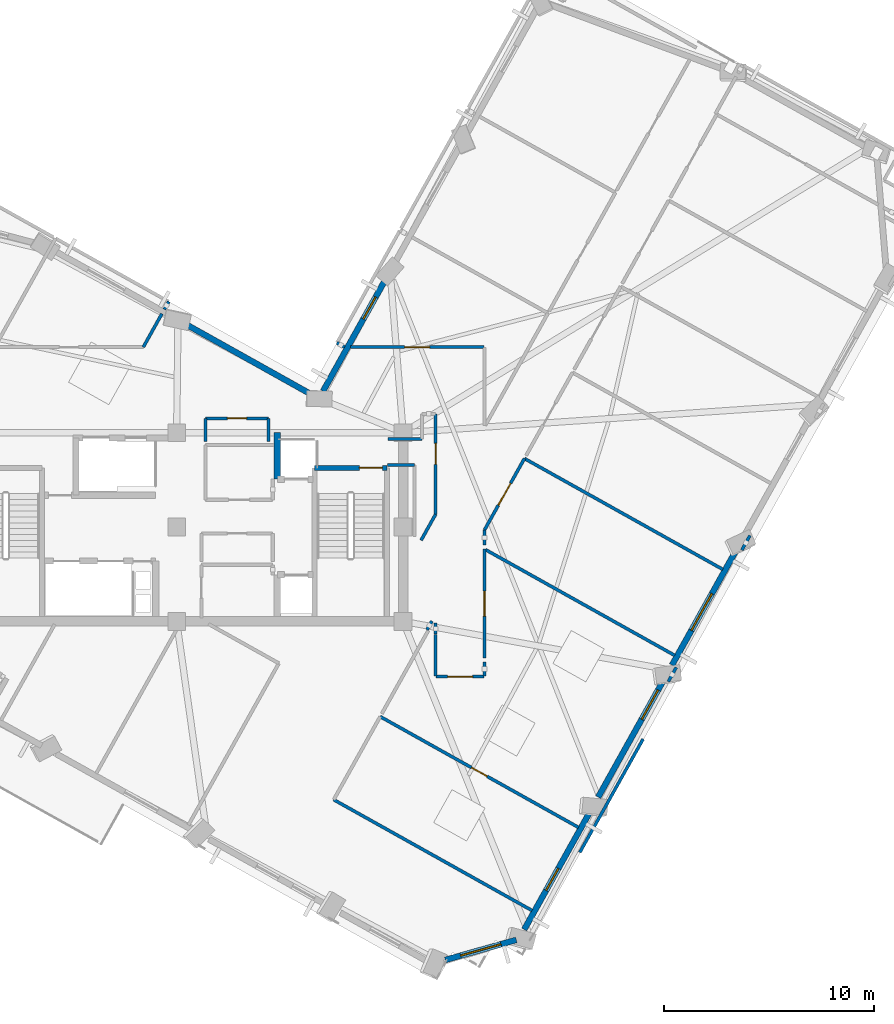
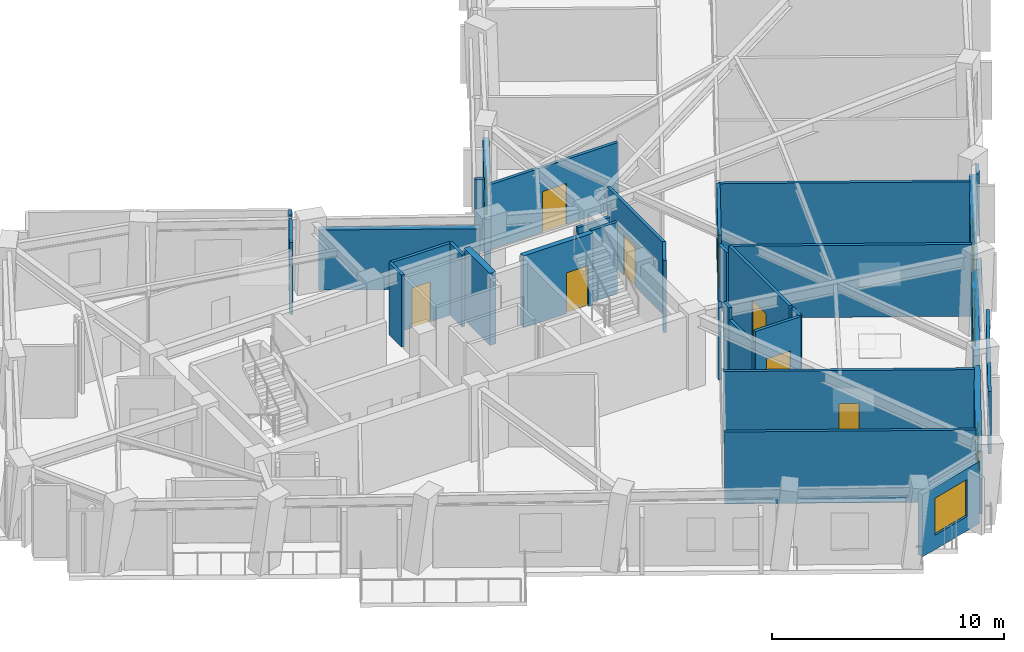
# One storey, part 5 of 11: 34 walls, 8 doors, 5 windows, 13 openings.
"""IFC4 building model written with IfcOpenShell, lengths in metres."""

from ifc_helpers import new_model, si_unit, direction, frame, frame_2d, origin, place, context, subcontext, project, spatial, rectangle, extrude, material, layer, layer_set, type_object, element, fill, save


model = new_model("IFC4")

# Units and contexts
model_context = context("Model", 3, precision=1e-05, world=origin(), true_north=direction((0.0, 1.0)))
body_context = subcontext(model_context, "Body", "Model", "MODEL_VIEW")
ifc_project = project(units=[si_unit("LENGTHUNIT", "METRE"), si_unit("AREAUNIT", "SQUARE_METRE"), si_unit("VOLUMEUNIT", "CUBIC_METRE"), si_unit("PLANEANGLEUNIT", "RADIAN"), si_unit("MASSUNIT", "GRAM", prefix="KILO")], contexts=[model_context])

# Site, building, storey
site_placement = place(None, origin())
site = spatial("IfcSite", under=ifc_project, at=site_placement, CompositionType="ELEMENT")
building_placement = place(site_placement, origin())
building = spatial("IfcBuilding", under=site, at=building_placement, Name="Gaonmaruhae Medical Tower", CompositionType="ELEMENT")
storey_placement = place(building_placement, frame((0.0, 0.0, 284.60009765625)))
storey = spatial("IfcBuildingStorey", under=building, at=storey_placement, Name="L68", CompositionType="ELEMENT", Elevation=284.60009765625)

# Wall, opening, window
ifc_material_1 = material(Name="Precast concrete C45/55", Category="concrete")
ifc_layer_1 = layer(ifc_material_1, 0.280029296875)
ifc_layer_set_1 = layer_set([ifc_layer_1], Name="Precast concrete C45/55")
wall_type_1 = type_object("IfcWallType", Name="EW-280 Upper Precast Masonry-Frame Facade Wall", PredefinedType="SOLIDWALL", material=ifc_layer_set_1)
wall_1_placement = place(storey_placement, frame((44.54052734375, -1.2314453125, 0.0), z_axis=(0.0, 0.0, 1.0), x_axis=(-0.487853422119, -0.872925562993, 0.0)))
wall_1 = element("IfcWall", 1, at=wall_1_placement, inside=storey, type_object=wall_type_1, Name="L68 Precast Masonry-Frame Wall S01-S02", PredefinedType="SOLIDWALL", context=body_context, shape_type="SweptSolid", body=[
    extrude(rectangle(XDim=6.484619140625, YDim=0.280029296875, at=frame_2d((3.2421875, 0.0))), origin(), (0.0, 0.0, 1.0), 3.264892578125),
])
opening_1_placement = place(wall_1_placement, frame((3.14892578125, 0.0, 0.75)))
opening_1 = element("IfcOpeningElement", 2, at=opening_1_placement, cuts=wall_1, Name="Opening WN-05", PredefinedType="OPENING", context=body_context, shape_type="SweptSolid", body=[
    extrude(rectangle(XDim=1.199951171875, YDim=1.75, at=frame_2d((0.60009765625, 0.875))), frame((0.0, 0.14990234375, 0.0), z_axis=(0.0, -1.0, 0.0), x_axis=(1.0, 0.0, 0.0)), (0.0, 0.0, 1.0), 0.300048828125),
])
ifc_material_2 = material(Name="Anodised aluminium and Low-E double glazing", Category="aluminium")
window_type_1 = type_object("IfcWindowType", Name="WN-05 Support & Staff Punched Window 1200x1750", PartitioningType="SINGLE_PANEL", PredefinedType="WINDOW", material=ifc_material_2)
window_1_placement = place(opening_1_placement, origin())
window_1 = element("IfcWindow", 3, at=window_1_placement, inside=storey, type_object=window_type_1, Name="L68 Modular Facade Window S01", OverallHeight=1.75, OverallWidth=1.199951171875, PartitioningType="SINGLE_PANEL", PredefinedType="WINDOW", context=body_context, shape_type="SweptSolid", body=[
    extrude(rectangle(XDim=1.199951171875, YDim=1.75, at=frame_2d((0.60009765625, 0.875))), frame((0.0, 0.030029296875, 0.0), z_axis=(0.0, -1.0, 0.0), x_axis=(1.0, 0.0, 0.0)), (0.0, 0.0, 1.0), 0.06005859375),
])
fill(opening_1, window_1)

wall_2_placement = place(storey_placement, frame((48.04443359375, 5.037841796875, 0.0), z_axis=(0.0, 0.0, 1.0), x_axis=(-0.487859600655, -0.872922109955, 0.0)))
wall_2 = element("IfcWall", 4, at=wall_2_placement, inside=storey, type_object=wall_type_1, Name="L68 Precast Masonry-Frame Wall S02-S03", PredefinedType="SOLIDWALL", context=body_context, shape_type="SweptSolid", body=[
    extrude(rectangle(XDim=6.4384765625, YDim=0.280029296875, at=frame_2d((3.21923828125, 0.0))), origin(), (0.0, 0.0, 1.0), 3.264892578125),
])
opening_2_placement = place(wall_2_placement, frame((0.585205078125, 0.0, 0.75)))
opening_2 = element("IfcOpeningElement", 5, at=opening_2_placement, cuts=wall_2, Name="Opening WN-01", PredefinedType="OPENING", context=body_context, shape_type="SweptSolid", body=[
    extrude(rectangle(XDim=1.60009765625, YDim=1.949951171875, at=frame_2d((0.800048828125, 0.97509765625))), frame((0.0, 0.14990234375, 0.0), z_axis=(0.0, -1.0, 0.0), x_axis=(1.0, 0.0, 0.0)), (0.0, 0.0, 1.0), 0.300048828125),
])
window_type_2 = type_object("IfcWindowType", Name="WN-01 Ward Punched Acoustic Window 1600x1950", PartitioningType="SINGLE_PANEL", PredefinedType="WINDOW", material=ifc_material_2)
window_2_placement = place(opening_2_placement, origin())
window_2 = element("IfcWindow", 6, at=window_2_placement, inside=storey, type_object=window_type_2, Name="L68 Modular Facade Window S02", OverallHeight=1.949951171875, OverallWidth=1.60009765625, PartitioningType="SINGLE_PANEL", PredefinedType="WINDOW", context=body_context, shape_type="SweptSolid", body=[
    extrude(rectangle(XDim=1.60009765625, YDim=1.949951171875, at=frame_2d((0.800048828125, 0.97509765625))), frame((0.0, 0.030029296875, 0.0), z_axis=(0.0, -1.0, 0.0), x_axis=(1.0, 0.0, 0.0)), (0.0, 0.0, 1.0), 0.06005859375),
])
fill(opening_2, window_2)

wall_3_placement = place(storey_placement, frame((51.552978515625, 11.315673828125, 0.0), z_axis=(0.0, 0.0, 1.0), x_axis=(-0.487868282158, -0.872917257971, 0.0)))
wall_3 = element("IfcWall", 7, at=wall_3_placement, inside=storey, type_object=wall_type_1, Name="L68 Precast Masonry-Frame Wall S03-S04", PredefinedType="SOLIDWALL", context=body_context, shape_type="SweptSolid", body=[
    extrude(rectangle(XDim=6.413330078125, YDim=0.280029296875, at=frame_2d((3.20654296875, 0.0))), origin(), (0.0, 0.0, 1.0), 3.264892578125),
])
opening_3_placement = place(wall_3_placement, frame((2.517578125, 0.0, 0.75)))
opening_3 = element("IfcOpeningElement", 8, at=opening_3_placement, cuts=wall_3, Name="Opening WN-02", PredefinedType="OPENING", context=body_context, shape_type="SweptSolid", body=[
    extrude(rectangle(XDim=2.0, YDim=1.949951171875, at=frame_2d((1.0, 0.97509765625))), frame((0.0, 0.14990234375, 0.0), z_axis=(0.0, -1.0, 0.0), x_axis=(1.0, 0.0, 0.0)), (0.0, 0.0, 1.0), 0.300048828125),
])
window_type_3 = type_object("IfcWindowType", Name="WN-02 Double-Bed Ward Punched Window 2000x1950", PartitioningType="SINGLE_PANEL", PredefinedType="WINDOW", material=ifc_material_2)
window_3_placement = place(opening_3_placement, origin())
window_3 = element("IfcWindow", 9, at=window_3_placement, inside=storey, type_object=window_type_3, Name="L68 Modular Facade Window S03", OverallHeight=1.949951171875, OverallWidth=2.0, PartitioningType="SINGLE_PANEL", PredefinedType="WINDOW", context=body_context, shape_type="SweptSolid", body=[
    extrude(rectangle(XDim=2.0, YDim=1.949951171875, at=frame_2d((1.0, 0.97509765625))), frame((0.0, 0.030029296875, 0.0), z_axis=(0.0, -1.0, 0.0), x_axis=(1.0, 0.0, 0.0)), (0.0, 0.0, 1.0), 0.06005859375),
])
fill(opening_3, window_3)

wall_4_placement = place(storey_placement, frame((31.78076171875, 18.777587890625, 0.0), z_axis=(0.0, 0.0, 1.0), x_axis=(0.487859563913, 0.87292213049, 0.0)))
wall_4 = element("IfcWall", 10, at=wall_4_placement, inside=storey, type_object=wall_type_1, Name="L68 Precast Masonry-Frame Wall EN02-KN01", PredefinedType="SOLIDWALL", context=body_context, shape_type="SweptSolid", body=[
    extrude(rectangle(XDim=6.158203125, YDim=0.280029296875, at=frame_2d((3.0791015625, 0.0))), origin(), (0.0, 0.0, 1.0), 3.264892578125),
])
opening_4_placement = place(wall_4_placement, frame((3.94189453125, 0.0, 0.75)))
opening_4 = element("IfcOpeningElement", 11, at=opening_4_placement, cuts=wall_4, Name="Opening WN-05", PredefinedType="OPENING", context=body_context, shape_type="SweptSolid", body=[
    extrude(rectangle(XDim=1.199951171875, YDim=1.75, at=frame_2d((0.60009765625, 0.875))), frame((0.0, 0.14990234375, 0.0), z_axis=(0.0, -1.0, 0.0), x_axis=(1.0, 0.0, 0.0)), (0.0, 0.0, 1.0), 0.300048828125),
])
window_4_placement = place(opening_4_placement, origin())
window_4 = element("IfcWindow", 12, at=window_4_placement, inside=storey, type_object=window_type_1, Name="L68 Modular Facade Window EN02", OverallHeight=1.75, OverallWidth=1.199951171875, PartitioningType="SINGLE_PANEL", PredefinedType="WINDOW", context=body_context, shape_type="SweptSolid", body=[
    extrude(rectangle(XDim=1.199951171875, YDim=1.75, at=frame_2d((0.60009765625, 0.875))), frame((0.0, 0.030029296875, 0.0), z_axis=(0.0, -1.0, 0.0), x_axis=(1.0, 0.0, 0.0)), (0.0, 0.0, 1.0), 0.06005859375),
])
fill(opening_4, window_4)

# Wall
wall_5_placement = place(storey_placement, frame((25.209716796875, 21.985595703125, 0.0), z_axis=(0.0, 0.0, 1.0), x_axis=(0.872934692493, -0.48783708617, 0.0)))
element("IfcWall", 13, at=wall_5_placement, inside=storey, type_object=wall_type_1, Name="L68 Precast Masonry-Frame Wall KN01-NE01", PredefinedType="SOLIDWALL", context=body_context, shape_type="SweptSolid", body=[
    extrude(rectangle(XDim=6.957763671875, YDim=0.280029296875, at=frame_2d((3.47900390625, 0.0))), origin(), (0.0, 0.0, 1.0), 3.164794921875),
])

# Wall, opening, window
wall_6_placement = place(storey_placement, frame((40.99951171875, -7.387939453125, 0.0), z_axis=(0.0, 0.0, 1.0), x_axis=(-0.962227298855, -0.272247360572, 0.0)))
wall_6 = element("IfcWall", 14, at=wall_6_placement, inside=storey, type_object=wall_type_1, Name="L68 Precast Masonry-Frame Wall W06-S01", PredefinedType="SOLIDWALL", context=body_context, shape_type="SweptSolid", body=[
    extrude(rectangle(XDim=3.520751953125, YDim=0.280029296875, at=frame_2d((1.76025390625, 0.0))), origin(), (0.0, 0.0, 1.0), 3.264892578125),
])
opening_5_placement = place(wall_6_placement, frame((0.759765625, 0.0, 0.75)))
opening_5 = element("IfcOpeningElement", 15, at=opening_5_placement, cuts=wall_6, Name="Opening WN-02", PredefinedType="OPENING", context=body_context, shape_type="SweptSolid", body=[
    extrude(rectangle(XDim=2.0, YDim=1.949951171875, at=frame_2d((1.0, 0.97509765625))), frame((0.0, 0.14990234375, 0.0), z_axis=(0.0, -1.0, 0.0), x_axis=(1.0, 0.0, 0.0)), (0.0, 0.0, 1.0), 0.300048828125),
])
window_5_placement = place(opening_5_placement, origin())
window_5 = element("IfcWindow", 16, at=window_5_placement, inside=storey, type_object=window_type_3, Name="L68 Modular Facade Window W06", OverallHeight=1.949951171875, OverallWidth=2.0, PartitioningType="SINGLE_PANEL", PredefinedType="WINDOW", context=body_context, shape_type="SweptSolid", body=[
    extrude(rectangle(XDim=2.0, YDim=1.949951171875, at=frame_2d((1.0, 0.97509765625))), frame((0.0, 0.030029296875, 0.0), z_axis=(0.0, -1.0, 0.0), x_axis=(1.0, 0.0, 0.0)), (0.0, 0.0, 1.0), 0.06005859375),
])
fill(opening_5, window_5)

# Wall
ifc_material_3 = material(Name="Gypsum board partition", Category="gypsum")
ifc_layer_2 = layer(ifc_material_3, 0.14990234375)
ifc_layer_set_2 = layer_set([ifc_layer_2], Name="Gypsum board partition")
wall_type_2 = type_object("IfcWallType", Name="PW-150 Rated Clinical Corridor Partition", PredefinedType="PARTITIONING", material=ifc_layer_set_2)
wall_7_placement = place(storey_placement, frame((26.179931640625, 16.3798828125, 0.0), z_axis=(0.0, 0.0, 1.0), x_axis=(0.0, 1.0, 0.0)))
element("IfcWall", 17, at=wall_7_placement, inside=storey, type_object=wall_type_2, Name="L68 Interior Partition L68-CS2-11", PredefinedType="PARTITIONING", context=body_context, shape_type="SweptSolid", body=[
    extrude(rectangle(XDim=1.10009765625, YDim=0.14990234375, at=frame_2d((0.550048828125, 0.0))), origin(), (0.0, 0.0, 1.0), 3.77978515625),
])

# Wall, opening, door
wall_8_placement = place(storey_placement, frame((26.179931640625, 17.47998046875, 0.0), z_axis=(0.0, 0.0, 1.0), x_axis=(1.0, 0.0, 0.0)))
wall_8 = element("IfcWall", 18, at=wall_8_placement, inside=storey, type_object=wall_type_2, Name="L68 Interior Partition L68-CS2-12", PredefinedType="PARTITIONING", context=body_context, shape_type="SweptSolid", body=[
    extrude(rectangle(XDim=3.0, YDim=0.14990234375, at=frame_2d((1.5, 0.0))), origin(), (0.0, 0.0, 1.0), 3.77978515625),
])
opening_6_placement = place(wall_8_placement, frame((1.0400390625, 0.0, 0.0)))
opening_6 = element("IfcOpeningElement", 19, at=opening_6_placement, cuts=wall_8, Name="Opening UD-01", PredefinedType="OPENING", context=body_context, shape_type="SweptSolid", body=[
    extrude(rectangle(XDim=0.919921875, YDim=2.10009765625, at=frame_2d((0.4599609375, 1.050048828125))), frame((0.0, 0.0849609375, 0.0), z_axis=(0.0, -1.0, 0.0), x_axis=(1.0, 0.0, 0.0)), (0.0, 0.0, 1.0), 0.169921875),
])
ifc_material_4 = material(Name="Powder-coated steel utility door", Category="steel")
door_type_1 = type_object("IfcDoorType", Name="UD-01 Toilet, Utility & Housekeeping Door 920x2100", OperationType="NOTDEFINED", PredefinedType="DOOR", material=ifc_material_4)
door_1_placement = place(opening_6_placement, origin())
door_1 = element("IfcDoor", 20, at=door_1_placement, inside=storey, type_object=door_type_1, Name="L68 Biomedical Telemetry Closet Door", OperationType="SINGLE_SWING_RIGHT", OverallHeight=2.10009765625, OverallWidth=0.919921875, PredefinedType="DOOR", context=body_context, shape_type="SweptSolid", body=[
    extrude(rectangle(XDim=0.919921875, YDim=2.10009765625, at=frame_2d((0.4599609375, 1.050048828125))), frame((0.0, 0.02490234375, 0.0), z_axis=(0.0, -1.0, 0.0), x_axis=(1.0, 0.0, 0.0)), (0.0, 0.0, 1.0), 0.050048828125),
])
fill(opening_6, door_1)

# Wall
wall_9_placement = place(storey_placement, frame((29.179931640625, 17.47998046875, 0.0), z_axis=(0.0, 0.0, 1.0), x_axis=(0.0, -1.0, 0.0)))
element("IfcWall", 21, at=wall_9_placement, inside=storey, type_object=wall_type_2, Name="L68 Interior Partition L68-CS2-13", PredefinedType="PARTITIONING", context=body_context, shape_type="SweptSolid", body=[
    extrude(rectangle(XDim=1.10009765625, YDim=0.14990234375, at=frame_2d((0.550048828125, 0.0))), origin(), (0.0, 0.0, 1.0), 3.77978515625),
])

# Wall, opening, door
wall_10_placement = place(storey_placement, frame((34.507080078125, 3.260009765625, 0.0), z_axis=(0.0, 0.0, 1.0), x_axis=(0.872922597233, -0.487858728774, 0.0)))
wall_10 = element("IfcWall", 22, at=wall_10_placement, inside=storey, type_object=wall_type_2, Name="L68 Interior Partition L68-SUP02-15", PredefinedType="PARTITIONING", context=body_context, shape_type="SweptSolid", body=[
    extrude(rectangle(XDim=10.8349609375, YDim=0.14990234375, at=frame_2d((5.41748046875, 0.0))), origin(), (0.0, 0.0, 1.0), 3.77978515625),
])
opening_7_placement = place(wall_10_placement, frame((4.987548828125, 0.0, 0.0)))
opening_7 = element("IfcOpeningElement", 23, at=opening_7_placement, cuts=wall_10, Name="Opening AD-01", PredefinedType="OPENING", context=body_context, shape_type="SweptSolid", body=[
    extrude(rectangle(XDim=0.860107421875, YDim=2.06005859375, at=frame_2d((0.43017578125, 1.030029296875))), frame((0.0, 0.0849609375, 0.0), z_axis=(0.0, -1.0, 0.0), x_axis=(1.0, 0.0, 0.0)), (0.0, 0.0, 1.0), 0.169921875),
])
ifc_material_5 = material(Name="Powder-coated steel access door", Category="steel")
door_type_2 = type_object("IfcDoorType", Name="AD-01 Riser & Closet Access Fire Door 860x2060", OperationType="NOTDEFINED", PredefinedType="DOOR", material=ifc_material_5)
door_2_placement = place(opening_7_placement, origin())
door_2 = element("IfcDoor", 24, at=door_2_placement, inside=storey, type_object=door_type_2, Name="L68 Clinical Biomedical Charting Office Sliding Door", OperationType="SLIDING_TO_LEFT", OverallHeight=2.06005859375, OverallWidth=0.860107421875, PredefinedType="DOOR", context=body_context, shape_type="SweptSolid", body=[
    extrude(rectangle(XDim=0.860107421875, YDim=2.06005859375, at=frame_2d((0.43017578125, 1.030029296875))), frame((0.0, 0.02490234375, 0.0), z_axis=(0.0, -1.0, 0.0), x_axis=(1.0, 0.0, 0.0)), (0.0, 0.0, 1.0), 0.050048828125),
])
fill(opening_7, door_2)

# Wall
wall_11_placement = place(storey_placement, frame((41.75, -5.989013671875, 0.0), z_axis=(0.0, 0.0, 1.0), x_axis=(-0.872913001264, 0.487875898384, 0.0)))
element("IfcWall", 25, at=wall_11_placement, inside=storey, type_object=wall_type_2, Name="L68 Interior Partition L68-SUP02-16", PredefinedType="PARTITIONING", context=body_context, shape_type="SweptSolid", body=[
    extrude(rectangle(XDim=10.8349609375, YDim=0.14990234375, at=frame_2d((5.41748046875, 0.0))), origin(), (0.0, 0.0, 1.0), 3.77978515625),
])

# Wall, opening, door
wall_12_placement = place(storey_placement, frame((37.179931640625, 5.169921875, 0.0), z_axis=(0.0, 0.0, 1.0), x_axis=(0.999999908196, 0.000428494872, 0.0)))
wall_12 = element("IfcWall", 26, at=wall_12_placement, inside=storey, type_object=wall_type_2, Name="L68 Interior Partition L68-SUP03-17", PredefinedType="PARTITIONING", context=body_context, shape_type="SweptSolid", body=[
    extrude(rectangle(XDim=2.279052734375, YDim=0.14990234375, at=frame_2d((1.1396484375, 0.0))), origin(), (0.0, 0.0, 1.0), 3.77978515625),
])
opening_8_placement = place(wall_12_placement, frame((0.53955078125, 0.0, 0.0)))
opening_8 = element("IfcOpeningElement", 27, at=opening_8_placement, cuts=wall_12, Name="Opening CD-02", PredefinedType="OPENING", context=body_context, shape_type="SweptSolid", body=[
    extrude(rectangle(XDim=1.199951171875, YDim=2.14990234375, at=frame_2d((0.60009765625, 1.074951171875))), frame((0.0, 0.0849609375, 0.0), z_axis=(0.0, -1.0, 0.0), x_axis=(1.0, 0.0, 0.0)), (0.0, 0.0, 1.0), 0.169921875),
])
ifc_material_6 = material(Name="Antimicrobial laminate timber fire door", Category="wood")
door_type_3 = type_object("IfcDoorType", Name="CD-02 Clinical Treatment & Procedure Door 1200x2150", OperationType="NOTDEFINED", PredefinedType="DOOR", material=ifc_material_6)
door_3_placement = place(opening_8_placement, origin())
door_3 = element("IfcDoor", 28, at=door_3_placement, inside=storey, type_object=door_type_3, Name="L68 Clinical Biomedical Charting Office Door", OperationType="SINGLE_SWING_LEFT", OverallHeight=2.14990234375, OverallWidth=1.199951171875, PredefinedType="DOOR", context=body_context, shape_type="SweptSolid", body=[
    extrude(rectangle(XDim=1.199951171875, YDim=2.14990234375, at=frame_2d((0.60009765625, 1.074951171875))), frame((0.0, 0.02490234375, 0.0), z_axis=(0.0, -1.0, 0.0), x_axis=(1.0, 0.0, 0.0)), (0.0, 0.0, 1.0), 0.050048828125),
])
fill(opening_8, door_3)

# Walls
wall_13_placement = place(storey_placement, frame((39.47998046875, 5.199951171875, 0.0), z_axis=(0.0, 0.0, 1.0), x_axis=(0.0, 1.0, 0.0)))
element("IfcWall", 29, at=wall_13_placement, inside=storey, type_object=wall_type_2, Name="L68 Interior Partition L68-SUP03-18", PredefinedType="PARTITIONING", context=body_context, shape_type="SweptSolid", body=[
    extrude(rectangle(XDim=0.6650390625, YDim=0.14990234375, at=frame_2d((0.33251953125, 0.0))), origin(), (0.0, 0.0, 1.0), 3.77978515625),
])
wall_14_placement = place(storey_placement, frame((37.14990234375, 7.1669921875, 0.0), z_axis=(0.0, 0.0, 1.0), x_axis=(0.0, -1.0, 0.0)))
element("IfcWall", 30, at=wall_14_placement, inside=storey, type_object=wall_type_2, Name="L68 Interior Partition L68-SUP03-22", PredefinedType="PARTITIONING", context=body_context, shape_type="SweptSolid", body=[
    extrude(rectangle(XDim=1.969970703125, YDim=0.14990234375, at=frame_2d((0.98486328125, 0.0))), origin(), (0.0, 0.0, 1.0), 3.164794921875),
])
wall_15_placement = place(storey_placement, frame((48.625, 5.60498046875, 0.0), z_axis=(0.0, 0.0, 1.0), x_axis=(-0.488278447014, -0.872687892767, 0.0)))
element("IfcWall", 31, at=wall_15_placement, inside=storey, type_object=wall_type_2, Name="L68 Interior Partition L68-SUP04-23", PredefinedType="PARTITIONING", context=body_context, shape_type="SweptSolid", body=[
    extrude(rectangle(XDim=0.778076171875, YDim=0.14990234375, at=frame_2d((0.38916015625, 0.0))), origin(), (0.0, 0.0, 1.0), 3.264892578125),
])

# Wall, opening, door
wall_16_placement = place(storey_placement, frame((39.47998046875, 6.048095703125, 0.0), z_axis=(0.0, 0.0, 1.0), x_axis=(0.0, 1.0, 0.0)))
wall_16 = element("IfcWall", 32, at=wall_16_placement, inside=storey, type_object=wall_type_2, Name="L68 Interior Partition L68-SUP04-24", PredefinedType="PARTITIONING", context=body_context, shape_type="SweptSolid", body=[
    extrude(rectangle(XDim=5.200927734375, YDim=0.14990234375, at=frame_2d((2.6005859375, 0.0))), origin(), (0.0, 0.0, 1.0), 3.77978515625),
])
opening_9_placement = place(wall_16_placement, frame((2.00048828125, 0.0, 0.0)))
opening_9 = element("IfcOpeningElement", 33, at=opening_9_placement, cuts=wall_16, Name="Opening CD-02", PredefinedType="OPENING", context=body_context, shape_type="SweptSolid", body=[
    extrude(rectangle(XDim=1.199951171875, YDim=2.14990234375, at=frame_2d((0.60009765625, 1.074951171875))), frame((0.0, 0.0849609375, 0.0), z_axis=(0.0, -1.0, 0.0), x_axis=(1.0, 0.0, 0.0)), (0.0, 0.0, 1.0), 0.169921875),
])
door_4_placement = place(opening_9_placement, origin())
door_4 = element("IfcDoor", 34, at=door_4_placement, inside=storey, type_object=door_type_3, Name="L68 Clinical Biomedical Charting Office Door", OperationType="SINGLE_SWING_RIGHT", OverallHeight=2.14990234375, OverallWidth=1.199951171875, PredefinedType="DOOR", context=body_context, shape_type="SweptSolid", body=[
    extrude(rectangle(XDim=1.199951171875, YDim=2.14990234375, at=frame_2d((0.60009765625, 1.074951171875))), frame((0.0, 0.02490234375, 0.0), z_axis=(0.0, -1.0, 0.0), x_axis=(1.0, 0.0, 0.0)), (0.0, 0.0, 1.0), 0.050048828125),
])
fill(opening_9, door_4)

# Walls
wall_17_placement = place(storey_placement, frame((39.530029296875, 11.220947265625, 0.0), z_axis=(0.0, 0.0, 1.0), x_axis=(0.872948808253, -0.487811826598, 0.0)))
element("IfcWall", 35, at=wall_17_placement, inside=storey, type_object=wall_type_2, Name="L68 Interior Partition L68-SUP04-25", PredefinedType="PARTITIONING", context=body_context, shape_type="SweptSolid", body=[
    extrude(rectangle(XDim=10.333984375, YDim=0.14990234375, at=frame_2d((5.1669921875, 0.0))), origin(), (0.0, 0.0, 1.0), 3.77978515625),
])
wall_18_placement = place(storey_placement, frame((41.385986328125, 15.569091796875, 0.0), z_axis=(0.0, 0.0, 1.0), x_axis=(0.872874616124, -0.487944571161, 0.0)))
element("IfcWall", 36, at=wall_18_placement, inside=storey, type_object=wall_type_2, Name="L68 Interior Partition L68-SUP05-26", PredefinedType="PARTITIONING", context=body_context, shape_type="SweptSolid", body=[
    extrude(rectangle(XDim=10.83544921875, YDim=0.14990234375, at=frame_2d((5.417724609375, 0.0))), origin(), (0.0, 0.0, 1.0), 3.77978515625),
])
wall_19_placement = place(storey_placement, frame((39.47998046875, 11.43310546875, 0.0), z_axis=(0.0, 0.0, 1.0), x_axis=(0.0, 1.0, 0.0)))
element("IfcWall", 37, at=wall_19_placement, inside=storey, type_object=wall_type_2, Name="L68 Interior Partition L68-SUP05-27", PredefinedType="PARTITIONING", context=body_context, shape_type="SweptSolid", body=[
    extrude(rectangle(XDim=0.725830078125, YDim=0.14990234375, at=frame_2d((0.36279296875, 0.0))), origin(), (0.0, 0.0, 1.0), 3.31494140625),
])

# Wall, opening, door
wall_20_placement = place(storey_placement, frame((39.47998046875, 12.158935546875, 0.0), z_axis=(0.0, 0.0, 1.0), x_axis=(0.487885785895, 0.872907475006, 0.0)))
wall_20 = element("IfcWall", 38, at=wall_20_placement, inside=storey, type_object=wall_type_2, Name="L68 Interior Partition L68-SUP05-28", PredefinedType="PARTITIONING", context=body_context, shape_type="SweptSolid", body=[
    extrude(rectangle(XDim=3.90673828125, YDim=0.14990234375, at=frame_2d((1.953369140625, 0.0))), origin(), (0.0, 0.0, 1.0), 3.77978515625),
])
opening_10_placement = place(wall_20_placement, frame((1.353271484375, 0.0, 0.0)))
opening_10 = element("IfcOpeningElement", 39, at=opening_10_placement, cuts=wall_20, Name="Opening CD-02", PredefinedType="OPENING", context=body_context, shape_type="SweptSolid", body=[
    extrude(rectangle(XDim=1.199951171875, YDim=2.14990234375, at=frame_2d((0.60009765625, 1.074951171875))), frame((0.0, 0.0849609375, 0.0), z_axis=(0.0, -1.0, 0.0), x_axis=(1.0, 0.0, 0.0)), (0.0, 0.0, 1.0), 0.169921875),
])
door_5_placement = place(opening_10_placement, origin())
door_5 = element("IfcDoor", 40, at=door_5_placement, inside=storey, type_object=door_type_3, Name="L68 Clinical Biomedical Charting Office Door", OperationType="SINGLE_SWING_RIGHT", OverallHeight=2.14990234375, OverallWidth=1.199951171875, PredefinedType="DOOR", context=body_context, shape_type="SweptSolid", body=[
    extrude(rectangle(XDim=1.199951171875, YDim=2.14990234375, at=frame_2d((0.60009765625, 1.074951171875))), frame((0.0, 0.02490234375, 0.0), z_axis=(0.0, -1.0, 0.0), x_axis=(1.0, 0.0, 0.0)), (0.0, 0.0, 1.0), 0.050048828125),
])
fill(opening_10, door_5)

# Walls
wall_21_placement = place(storey_placement, frame((52.14111328125, 11.89599609375, 0.0), z_axis=(0.0, 0.0, 1.0), x_axis=(-0.487704188901, -0.873008948481, 0.0)))
element("IfcWall", 41, at=wall_21_placement, inside=storey, type_object=wall_type_2, Name="L68 Interior Partition L68-SUP06-31", PredefinedType="PARTITIONING", context=body_context, shape_type="SweptSolid", body=[
    extrude(rectangle(XDim=0.7939453125, YDim=0.14990234375, at=frame_2d((0.39697265625, 0.0))), origin(), (0.0, 0.0, 1.0), 3.264892578125),
])
wall_22_placement = place(storey_placement, frame((34.889892578125, 16.5, 0.0), z_axis=(0.0, 0.0, 1.0), x_axis=(1.0, 0.0, 0.0)))
element("IfcWall", 42, at=wall_22_placement, inside=storey, type_object=wall_type_2, Name="L68 Interior Partition L68-IE02-63", PredefinedType="PARTITIONING", context=body_context, shape_type="SweptSolid", body=[
    extrude(rectangle(XDim=1.610107421875, YDim=0.14990234375, at=frame_2d((0.80517578125, 0.0))), origin(), (0.0, 0.0, 1.0), 3.164794921875),
])

# Wall, opening, door
wall_23_placement = place(storey_placement, frame((37.14990234375, 17.699951171875, 0.0), z_axis=(0.0, 0.0, 1.0), x_axis=(0.0, -1.0, 0.0)))
wall_23 = element("IfcWall", 43, at=wall_23_placement, inside=storey, type_object=wall_type_2, Name="L68 Interior Partition L68-IE02-66", PredefinedType="PARTITIONING", context=body_context, shape_type="SweptSolid", body=[
    extrude(rectangle(XDim=4.791015625, YDim=0.14990234375, at=frame_2d((2.3955078125, 0.0))), origin(), (0.0, 0.0, 1.0), 3.77978515625),
])
opening_11_placement = place(wall_23_placement, frame((1.410888671875, 0.0, 0.0)))
opening_11 = element("IfcOpeningElement", 44, at=opening_11_placement, cuts=wall_23, Name="Opening CD-01", PredefinedType="OPENING", context=body_context, shape_type="SweptSolid", body=[
    extrude(rectangle(XDim=1.0, YDim=2.1201171875, at=frame_2d((0.5, 1.06005859375))), frame((0.0, 0.0849609375, 0.0), z_axis=(0.0, -1.0, 0.0), x_axis=(1.0, 0.0, 0.0)), (0.0, 0.0, 1.0), 0.169921875),
])
door_type_4 = type_object("IfcDoorType", Name="CD-01 Consultation & Physician Office Door 1000x2120", OperationType="NOTDEFINED", PredefinedType="DOOR", material=ifc_material_6)
door_6_placement = place(opening_11_placement, origin())
door_6 = element("IfcDoor", 45, at=door_6_placement, inside=storey, type_object=door_type_4, Name="L68 Acute Treatment Examination Room Sliding Door", OperationType="SLIDING_TO_LEFT", OverallHeight=2.1201171875, OverallWidth=1.0, PredefinedType="DOOR", context=body_context, shape_type="SweptSolid", body=[
    extrude(rectangle(XDim=1.0, YDim=2.1201171875, at=frame_2d((0.5, 1.06005859375))), frame((0.0, 0.02490234375, 0.0), z_axis=(0.0, -1.0, 0.0), x_axis=(1.0, 0.0, 0.0)), (0.0, 0.0, 1.0), 0.050048828125),
])
fill(opening_11, door_6)

# Walls
wall_24_placement = place(storey_placement, frame((37.14990234375, 12.908935546875, 0.0), z_axis=(0.0, 0.0, 1.0), x_axis=(-0.487555283058, -0.873092117684, 0.0)))
element("IfcWall", 46, at=wall_24_placement, inside=storey, type_object=wall_type_2, Name="L68 Interior Partition L68-IE02-67", PredefinedType="PARTITIONING", context=body_context, shape_type="SweptSolid", body=[
    extrude(rectangle(XDim=1.419189453125, YDim=0.14990234375, at=frame_2d((0.70947265625, 0.0))), origin(), (0.0, 0.0, 1.0), 3.77978515625),
])
wall_25_placement = place(storey_placement, frame((36.14990234375, 15.260009765625, 0.0), z_axis=(0.0, 0.0, 1.0), x_axis=(-1.0, 0.0, 0.0)))
element("IfcWall", 47, at=wall_25_placement, inside=storey, type_object=wall_type_2, Name="L68 Interior Partition L68-IE02-69", PredefinedType="PARTITIONING", context=body_context, shape_type="SweptSolid", body=[
    extrude(rectangle(XDim=1.2998046875, YDim=0.14990234375, at=frame_2d((0.64990234375, 0.0))), origin(), (0.0, 0.0, 1.0), 3.77978515625),
])

# Wall, opening, door
wall_26_placement = place(storey_placement, frame((39.449951171875, 20.8798828125, 0.0), z_axis=(0.0, 0.0, 1.0), x_axis=(-1.0, 0.0, 0.0)))
wall_26 = element("IfcWall", 48, at=wall_26_placement, inside=storey, type_object=wall_type_2, Name="L68 Interior Partition L68-IE03-70", PredefinedType="PARTITIONING", context=body_context, shape_type="SweptSolid", body=[
    extrude(rectangle(XDim=6.363037109375, YDim=0.14990234375, at=frame_2d((3.181640625, 0.0))), origin(), (0.0, 0.0, 1.0), 3.414794921875),
])
opening_12_placement = place(wall_26_placement, frame((2.58154296875, 0.0, 0.0)))
opening_12 = element("IfcOpeningElement", 49, at=opening_12_placement, cuts=wall_26, Name="Opening CD-02", PredefinedType="OPENING", context=body_context, shape_type="SweptSolid", body=[
    extrude(rectangle(XDim=1.199951171875, YDim=2.14990234375, at=frame_2d((0.60009765625, 1.074951171875))), frame((0.0, 0.0849609375, 0.0), z_axis=(0.0, -1.0, 0.0), x_axis=(1.0, 0.0, 0.0)), (0.0, 0.0, 1.0), 0.169921875),
])
door_7_placement = place(opening_12_placement, origin())
door_7 = element("IfcDoor", 50, at=door_7_placement, inside=storey, type_object=door_type_3, Name="L68 Clean Medication Preparation Room Door", OperationType="SINGLE_SWING_LEFT", OverallHeight=2.14990234375, OverallWidth=1.199951171875, PredefinedType="DOOR", context=body_context, shape_type="SweptSolid", body=[
    extrude(rectangle(XDim=1.199951171875, YDim=2.14990234375, at=frame_2d((0.60009765625, 1.074951171875))), frame((0.0, 0.02490234375, 0.0), z_axis=(0.0, -1.0, 0.0), x_axis=(1.0, 0.0, 0.0)), (0.0, 0.0, 1.0), 0.050048828125),
])
fill(opening_12, door_7)

# Walls
wall_27_placement = place(storey_placement, frame((32.81494140625, 20.8798828125, 0.0), z_axis=(0.0, 0.0, 1.0), x_axis=(-0.873401279557, 0.48700123703, 0.0)))
element("IfcWall", 51, at=wall_27_placement, inside=storey, type_object=wall_type_2, Name="L68 Interior Partition L68-IE03-71", PredefinedType="PARTITIONING", context=body_context, shape_type="SweptSolid", body=[
    extrude(rectangle(XDim=0.427001953125, YDim=0.14990234375, at=frame_2d((0.21337890625, 0.0))), origin(), (0.0, 0.0, 1.0), 3.77978515625),
])
wall_28_placement = place(storey_placement, frame((24.423095703125, 23.055908203125, 0.0), z_axis=(0.0, 0.0, 1.0), x_axis=(-0.487594978343, -0.873069949715, 0.0)))
element("IfcWall", 52, at=wall_28_placement, inside=storey, type_object=wall_type_2, Name="L68 Interior Partition L68-IN02-89", PredefinedType="PARTITIONING", context=body_context, shape_type="SweptSolid", body=[
    extrude(rectangle(XDim=0.43505859375, YDim=0.14990234375, at=frame_2d((0.217529296875, 0.0))), origin(), (0.0, 0.0, 1.0), 3.77978515625),
])
wall_29_placement = place(storey_placement, frame((24.097900390625, 22.47509765625, 0.0), z_axis=(0.0, 0.0, 1.0), x_axis=(-0.487581755791, -0.873077334157, 0.0)))
element("IfcWall", 53, at=wall_29_placement, inside=storey, type_object=wall_type_2, Name="L68 Interior Partition L68-IN02-90", PredefinedType="PARTITIONING", context=body_context, shape_type="SweptSolid", body=[
    extrude(rectangle(XDim=1.8271484375, YDim=0.14990234375, at=frame_2d((0.91357421875, 0.0))), origin(), (0.0, 0.0, 1.0), 3.77978515625),
])
wall_30_placement = place(storey_placement, frame((47.0458984375, 2.18603515625, 0.0), z_axis=(0.0, 0.0, 1.0), x_axis=(-0.487751512774, -0.872982509439, 0.0)))
element("IfcWall", 54, at=wall_30_placement, inside=storey, type_object=wall_type_2, Name="L68 Interior Partition L68-RM01-99", PredefinedType="PARTITIONING", context=body_context, shape_type="SweptSolid", body=[
    extrude(rectangle(XDim=6.189208984375, YDim=0.14990234375, at=frame_2d((3.0947265625, 0.0))), origin(), (0.0, 0.0, 1.0), 3.264892578125),
])
wall_31_placement = place(storey_placement, frame((36.739013671875, 7.39697265625, 0.0), z_axis=(0.0, 0.0, 1.0), x_axis=(0.487456381678, 0.873147339206, 0.0)))
element("IfcWall", 55, at=wall_31_placement, inside=storey, type_object=wall_type_2, Name="L68 Interior Partition L68-RM01-100", PredefinedType="PARTITIONING", context=body_context, shape_type="SweptSolid", body=[
    extrude(rectangle(XDim=0.479736328125, YDim=0.14990234375, at=frame_2d((0.23974609375, 0.0))), origin(), (0.0, 0.0, 1.0), 3.77978515625),
])
wall_32_placement = place(storey_placement, frame((37.14990234375, 7.717041015625, 0.0), z_axis=(0.0, 0.0, 1.0), x_axis=(0.0, -1.0, 0.0)))
element("IfcWall", 56, at=wall_32_placement, inside=storey, type_object=wall_type_2, Name="L68 Interior Partition L68-RM01-101", PredefinedType="PARTITIONING", context=body_context, shape_type="SweptSolid", body=[
    extrude(rectangle(XDim=0.527099609375, YDim=0.14990234375, at=frame_2d((0.263671875, 0.0))), origin(), (0.0, 0.0, 1.0), 3.77978515625),
])

# Wall, opening, door
ifc_material_7 = material(Name="Concrete C50/60", Category="concrete")
ifc_layer_3 = layer(ifc_material_7, 0.239990234375)
ifc_layer_set_3 = layer_set([ifc_layer_3], Name="Concrete C50/60")
wall_type_3 = type_object("IfcWallType", Name="SW-240 Dogleg Stair Tight Shaft Wall", PredefinedType="SOLIDWALL", material=ifc_layer_set_3)
wall_33_placement = place(storey_placement, frame((31.3701171875, 15.1201171875, 0.0), z_axis=(0.0, 0.0, 1.0), x_axis=(1.0, 0.0, 0.0)))
wall_33 = element("IfcWall", 57, at=wall_33_placement, inside=storey, type_object=wall_type_3, Name="L68 ST-02 Stair Shaft Wall SHW-ST-02-N", PredefinedType="SOLIDWALL", context=body_context, shape_type="SweptSolid", body=[
    extrude(rectangle(XDim=3.4599609375, YDim=0.239990234375, at=frame_2d((1.72998046875, 0.0))), origin(), (0.0, 0.0, 1.0), 3.77978515625),
])
opening_13_placement = place(wall_33_placement, frame((2.139892578125, 0.0, 0.0)))
opening_13 = element("IfcOpeningElement", 58, at=opening_13_placement, cuts=wall_33, Name="Opening FD-01", PredefinedType="OPENING", context=body_context, shape_type="SweptSolid", body=[
    extrude(rectangle(XDim=1.10009765625, YDim=2.14990234375, at=frame_2d((0.550048828125, 1.074951171875))), frame((0.0, 0.1298828125, 0.0), z_axis=(0.0, -1.0, 0.0), x_axis=(1.0, 0.0, 0.0)), (0.0, 0.0, 1.0), 0.260009765625),
])
ifc_material_8 = material(Name="Powder-coated steel fire door", Category="steel")
door_type_5 = type_object("IfcDoorType", Name="FD-01 Escape Stair Protected Fire Door 1100x2150", OperationType="NOTDEFINED", PredefinedType="DOOR", material=ifc_material_8)
door_8_placement = place(opening_13_placement, origin())
door_8 = element("IfcDoor", 59, at=door_8_placement, inside=storey, type_object=door_type_5, Name="L68 ST-02 Protected Escape Stair Door", OperationType="SINGLE_SWING_RIGHT", OverallHeight=2.14990234375, OverallWidth=1.10009765625, PredefinedType="DOOR", context=body_context, shape_type="SweptSolid", body=[
    extrude(rectangle(XDim=1.10009765625, YDim=2.14990234375, at=frame_2d((0.550048828125, 1.074951171875))), frame((0.0, 0.02490234375, 0.0), z_axis=(0.0, -1.0, 0.0), x_axis=(1.0, 0.0, 0.0)), (0.0, 0.0, 1.0), 0.050048828125),
])
fill(opening_13, door_8)

# Wall
ifc_layer_4 = layer(ifc_material_7, 0.300048828125)
ifc_layer_set_4 = layer_set([ifc_layer_4], Name="Concrete C50/60")
wall_type_4 = type_object("IfcWallType", Name="SW-300 Stair & Lift Hoistway Shaft Wall", PredefinedType="SOLIDWALL", material=ifc_layer_set_4)
wall_34_placement = place(storey_placement, frame((29.60009765625, 14.580078125, 0.0), z_axis=(0.0, 0.0, 1.0), x_axis=(0.0, 1.0, 0.0)))
element("IfcWall", 60, at=wall_34_placement, inside=storey, type_object=wall_type_4, Name="L68 Shaft Enclosure Wall SHW-PLD2", PredefinedType="SOLIDWALL", context=body_context, shape_type="SweptSolid", body=[
    extrude(rectangle(XDim=2.219970703125, YDim=0.300048828125, at=frame_2d((1.10986328125, 0.0))), origin(), (0.0, 0.0, 1.0), 3.77978515625),
])

save(model, "model.ifc")
